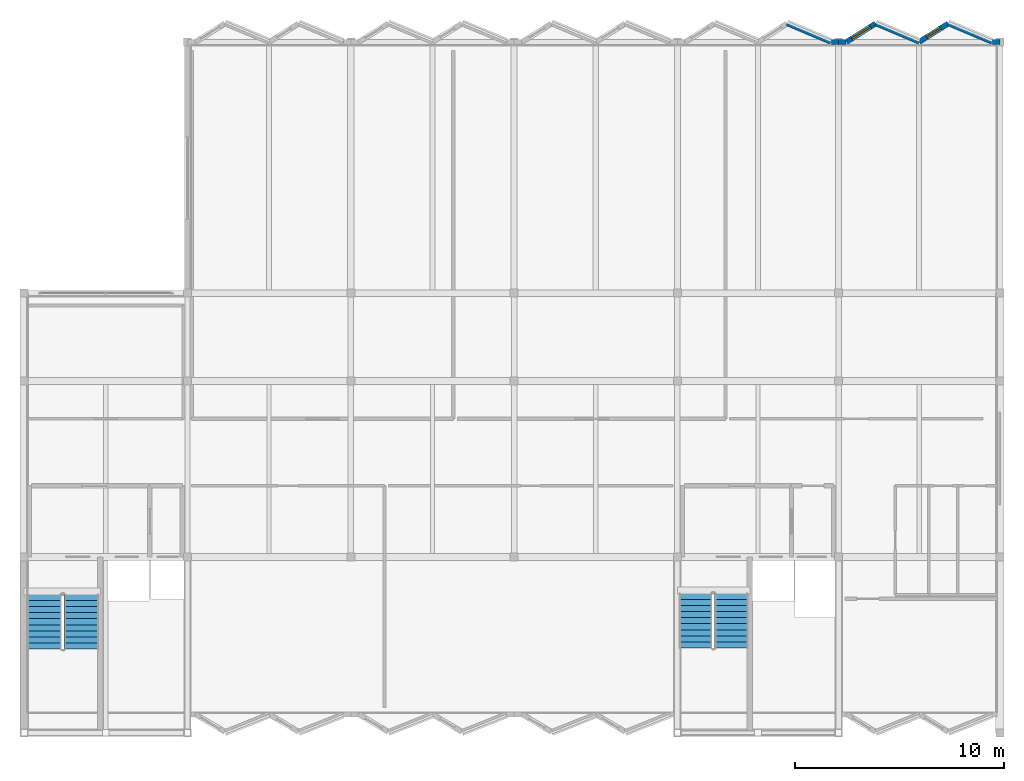
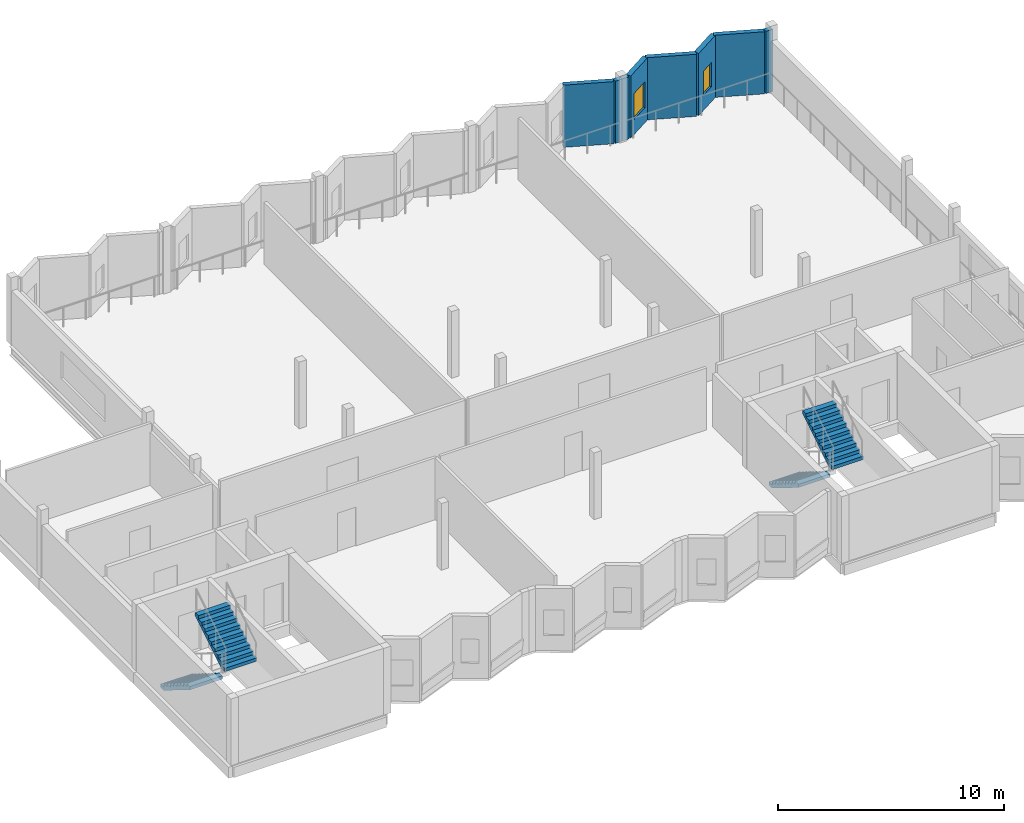
# One storey, part 7 of 11: 8 walls, 4 stair flights, 2 windows, 2 openings, 2 elements without a shape of their own.
"""IFC4 building model written with IfcOpenShell, lengths in metres."""

import ifcopenshell
import ifcopenshell.guid

model = None  # the IFC model being written
_history = None  # IfcOwnerHistory: only IFC2X3 demands one
_inside = {}  # id of a spatial element -> (the spatial element, [elements in it])
_under = {}  # id of a project, library or spatial element -> (it, [spatial elements below it])
_declared = {}  # id of a project -> (the project, [libraries it declares])
_typed = {}  # id of a type object -> (the type object, [elements of that type])
_made_of = {}  # id of a material, layer set ... -> (it, [elements and type objects made of it])


def new_model(schema):
    """Start an empty IFC model of exactly this schema.

    Asked for "IFC4X3", IfcOpenShell would pick the latest addendum, in which some entities
    have other attributes; the version numbers below select the first issue.
    IFC2X3 requires an IfcOwnerHistory on every rooted entity: one is made here for all.
    """
    global model, _history
    if schema == "IFC4X3":
        model = ifcopenshell.file(schema_version=(4, 3, 0, 0))
    else:
        model = ifcopenshell.file(schema=schema)
    _inside.clear()
    _under.clear()
    _declared.clear()
    _typed.clear()
    _made_of.clear()
    _history = None
    if model.schema == "IFC2X3":
        org = make("IfcOrganization", Name="unknown")
        user = make(
            "IfcPersonAndOrganization",
            ThePerson=make("IfcPerson", FamilyName="unknown"),
            TheOrganization=org,
        )
        app = make(
            "IfcApplication",
            ApplicationDeveloper=org,
            Version="unknown",
            ApplicationFullName="unknown",
            ApplicationIdentifier="unknown",
        )
        _history = make(
            "IfcOwnerHistory",
            OwningUser=user,
            OwningApplication=app,
            ChangeAction="ADDED",
            CreationDate=0,
        )
    return model


def make(cls, **values):
    """One entity of the class cls with the attributes given. An attribute that is None is left unset."""
    return model.create_entity(
        cls, **{name: value for name, value in values.items() if value is not None}
    )


def rooted(cls, **values):
    """An entity with a GlobalId (a new one), such as an element, a storey or a relation."""
    return make(cls, GlobalId=ifcopenshell.guid.new(), OwnerHistory=_history, **values)


def si_unit(unit_type, name, prefix=None):
    """IfcSIUnit, for example si_unit("LENGTHUNIT", "METRE", prefix="MILLI")."""
    return make("IfcSIUnit", UnitType=unit_type, Prefix=prefix, Name=name)


def assignment(units):
    """IfcUnitAssignment: the units of a project."""
    return None if units is None else make("IfcUnitAssignment", Units=units)


def point(xyz):
    """IfcCartesianPoint."""
    return None if xyz is None else make("IfcCartesianPoint", Coordinates=xyz)


def direction(xyz):
    """IfcDirection."""
    return None if xyz is None else make("IfcDirection", DirectionRatios=xyz)


def frame(location, z_axis=None, x_axis=None):
    """IfcAxis2Placement3D, a coordinate frame: its origin and axes. An axis left out is left unset."""
    return make(
        "IfcAxis2Placement3D",
        Location=point(location),
        Axis=direction(z_axis),
        RefDirection=direction(x_axis),
    )


def frame_2d(location, x_axis=None):
    """IfcAxis2Placement2D, a coordinate frame in the plane: its origin and x axis."""
    return make(
        "IfcAxis2Placement2D", Location=point(location), RefDirection=direction(x_axis)
    )


def origin():
    """The frame at (0, 0, 0) with its axes left unset."""
    return frame((0.0, 0.0, 0.0))


def place(relative_to, where):
    """IfcLocalPlacement: puts the frame where relative to a parent placement (None: the world)."""
    return make(
        "IfcLocalPlacement", PlacementRelTo=relative_to, RelativePlacement=where
    )


def context(
    kind, dimensions, precision=None, world=None, true_north=None, identifier=None
):
    """IfcGeometricRepresentationContext, for example the 3D "Model" context."""
    return make(
        "IfcGeometricRepresentationContext",
        ContextIdentifier=identifier,
        ContextType=kind,
        CoordinateSpaceDimension=dimensions,
        Precision=precision,
        WorldCoordinateSystem=world,
        TrueNorth=true_north,
    )


def subcontext(parent, identifier, kind, view, scale=None):
    """IfcGeometricRepresentationSubContext, for example "Body" below "Model"."""
    return make(
        "IfcGeometricRepresentationSubContext",
        ContextIdentifier=identifier,
        ContextType=kind,
        ParentContext=parent,
        TargetScale=scale,
        TargetView=view,
    )


def project(units=None, contexts=None):
    """IfcProject with its units and contexts."""
    return rooted(
        "IfcProject",
        Name="project",
        RepresentationContexts=contexts,
        UnitsInContext=assignment(units),
    )


def spatial(cls, under=None, at=None, **own):
    """A site, building, storey or space (cls), placed at a placement, below another one or the project."""
    s = rooted(cls, ObjectPlacement=at, **own)
    if under is not None:
        _under.setdefault(under.id(), (under, []))[1].append(s)
    return s


def polyline(points):
    """IfcPolyline through the points."""
    return make("IfcPolyline", Points=[point(p) for p in points])


def profile(cls, at=None, kind="AREA", **sizes):
    """A parametric profile (cls). Its sizes go by their IFC names, for example OverallWidth=200.0."""
    return make(cls, ProfileType=kind, Position=at, **sizes)


def rectangle(**sizes):
    """IfcRectangleProfileDef."""
    return profile("IfcRectangleProfileDef", **sizes)


def outline(outer, holes=None, kind="AREA"):
    """IfcArbitraryClosedProfileDef: a profile drawn as a closed curve; with holes, ...WithVoids."""
    if holes is None:
        return make("IfcArbitraryClosedProfileDef", ProfileType=kind, OuterCurve=outer)
    return make(
        "IfcArbitraryProfileDefWithVoids",
        ProfileType=kind,
        OuterCurve=outer,
        InnerCurves=holes,
    )


def extrude(swept, where, along, depth):
    """IfcExtrudedAreaSolid: the profile swept, set in the frame where, extruded along a direction by depth."""
    return make(
        "IfcExtrudedAreaSolid",
        SweptArea=swept,
        Position=where,
        ExtrudedDirection=direction(along),
        Depth=depth,
    )


def shape(context_of_items, identifier, shape_type, items):
    """IfcShapeRepresentation: the items that make up one representation, for example the "Body"."""
    return make(
        "IfcShapeRepresentation",
        ContextOfItems=context_of_items,
        RepresentationIdentifier=identifier,
        RepresentationType=shape_type,
        Items=items,
    )


def material(Name=None, Category=None):
    """IfcMaterial."""
    return make("IfcMaterial", Name=Name, Category=Category)


def layer(
    of_material, thickness, ventilated=None, Name=None, Category=None, Priority=None
):
    """IfcMaterialLayer: one layer of a wall or slab, of a material (None: an air gap)."""
    return make(
        "IfcMaterialLayer",
        Material=of_material,
        LayerThickness=thickness,
        IsVentilated=ventilated,
        Name=Name,
        Category=Category,
        Priority=Priority,
    )


def layer_set(layers, Name=None):
    """IfcMaterialLayerSet."""
    return make("IfcMaterialLayerSet", MaterialLayers=layers, LayerSetName=Name)


def made_of(thing, what):
    """Note that an element or type object is made of a material, layer set ...; save() writes the relation."""
    if what is not None:
        _made_of.setdefault(what.id(), (what, []))[1].append(thing)
    return thing


def type_object(cls, material=None, **own):
    """A type object (cls), such as IfcWallType, which elements share."""
    return made_of(rooted(cls, **own), material)


def element(
    cls,
    number,
    at=None,
    inside=None,
    cuts=None,
    type_object=None,
    material=None,
    context=None,
    identifier="Body",
    shape_type=None,
    held_by="IfcProductDefinitionShape",
    body=None,
    shapes=None,
    **own,
):
    """One element of the class cls, such as IfcWall. Its Tag is "e" and its number.

    at: its placement. inside: the storey or other place that contains it. cuts: it is an
    opening in that element (IfcRelVoidsElement). A single representation is given by context,
    identifier, shape_type and body (its items); several are given by shapes. held_by: the class
    of the entity that holds the representations. save() writes the other relations.
    """
    e = rooted(cls, Tag="e%d" % number, ObjectPlacement=at, **own)
    if body is not None:
        shapes = [shape(context, identifier, shape_type, body)]
    if shapes is not None:
        e.Representation = make(held_by, Representations=shapes)
    if inside is not None:
        _inside.setdefault(inside.id(), (inside, []))[1].append(e)
    if cuts is not None:
        rooted(
            "IfcRelVoidsElement", RelatingBuildingElement=cuts, RelatedOpeningElement=e
        )
    if type_object is not None:
        _typed.setdefault(type_object.id(), (type_object, []))[1].append(e)
    return made_of(e, material)


def fill(opening, filler):
    """IfcRelFillsElement: the door or window that sits in an opening."""
    return rooted(
        "IfcRelFillsElement",
        RelatingOpeningElement=opening,
        RelatedBuildingElement=filler,
    )


def aggregate(whole, parts):
    """IfcRelAggregates: a whole, such as a stair, and the parts it consists of."""
    return rooted("IfcRelAggregates", RelatingObject=whole, RelatedObjects=parts)


def save(model, path):
    """Write the relations noted so far, then the file.

    IfcRelAggregates (storeys below a building ...), IfcRelContainedInSpatialStructure (elements
    in a storey), IfcRelDefinesByType, IfcRelAssociatesMaterial and IfcRelDeclares: one each for
    every whole, place, type object, material and project.
    """
    for whole, parts in _under.values():
        aggregate(whole, parts)
    for where, things in _inside.values():
        rooted(
            "IfcRelContainedInSpatialStructure",
            RelatedElements=things,
            RelatingStructure=where,
        )
    for kind, things in _typed.values():
        rooted("IfcRelDefinesByType", RelatedObjects=things, RelatingType=kind)
    for what, things in _made_of.values():
        rooted("IfcRelAssociatesMaterial", RelatedObjects=things, RelatingMaterial=what)
    for by, libraries in _declared.values():
        rooted("IfcRelDeclares", RelatingContext=by, RelatedDefinitions=libraries)
    model.write(path)


model = new_model("IFC4")

# Units and contexts
model_context = context("Model", 3, precision=1e-05, world=origin(), true_north=direction((0.0, 1.0)))
body_context = subcontext(model_context, "Body", "Model", "MODEL_VIEW")
ifc_project = project(units=[si_unit("LENGTHUNIT", "METRE"), si_unit("AREAUNIT", "SQUARE_METRE"), si_unit("VOLUMEUNIT", "CUBIC_METRE"), si_unit("PLANEANGLEUNIT", "RADIAN"), si_unit("MASSUNIT", "GRAM", prefix="KILO")], contexts=[model_context])

# Site, building, storey
site_placement = place(None, origin())
site = spatial("IfcSite", under=ifc_project, at=site_placement, CompositionType="ELEMENT")
building_placement = place(site_placement, origin())
building = spatial("IfcBuilding", under=site, at=building_placement, Name="Vharandega Faculty of Natural Sciences", CompositionType="ELEMENT")
storey_placement = place(building_placement, frame((0.0, 0.0, 36.0)))
storey = spatial("IfcBuildingStorey", under=building, at=storey_placement, Name="L09", CompositionType="ELEMENT", Elevation=36.0)

# Wall, opening, window
ifc_material_1 = material(Name="Precast concrete C40/50", Category="concrete")
ifc_layer_1 = layer(ifc_material_1, 0.25, Name="Precast concrete C40/50")
ifc_layer_set_1 = layer_set([ifc_layer_1], Name="Precast concrete C40/50")
wall_type_1 = type_object("IfcWallType", Name="Sawtooth Glazed-Face Precast Wall 250", PredefinedType="SOLIDWALL", material=ifc_layer_set_1)
wall_1_placement = place(storey_placement, frame((154.080078125, 97.0, 0.0), z_axis=(0.0, 0.0, 1.0), x_axis=(0.844583954912, 0.535423143976, 0.0)))
wall_1 = element("IfcWall", 1, at=wall_1_placement, inside=storey, type_object=wall_type_1, Name="Exterior Wall EW-SAW-L09-N09G", PredefinedType="SOLIDWALL", context=body_context, shape_type="SweptSolid", body=[
    extrude(rectangle(XDim=1.643310546875, YDim=0.25, at=frame_2d((0.82177734375, 0.0))), origin(), (0.0, 0.0, 1.0), 3.360107421875),
])
opening_1_placement = place(wall_1_placement, frame((0.296630859375, 0.0, 0.820068359375)))
opening_1 = element("IfcOpeningElement", 2, at=opening_1_placement, cuts=wall_1, Name="Opening WN-06", PredefinedType="OPENING", context=body_context, shape_type="SweptSolid", body=[
    extrude(rectangle(XDim=1.050048828125, YDim=1.39990234375, at=frame_2d((0.52490234375, 0.699951171875))), frame((0.0, 0.135009765625, 0.0), z_axis=(0.0, -1.0, 0.0), x_axis=(1.0, 0.0, 0.0)), (0.0, 0.0, 1.0), 0.27001953125),
])
ifc_material_2 = material(Name="Double-glazed solar-control glass in thermally broken aluminium frame", Category="aluminium")
window_type_1 = type_object("IfcWindowType", Name="WIN-SAW-105x140", PartitioningType="SINGLE_PANEL", PredefinedType="WINDOW", material=ifc_material_2)
window_1_placement = place(opening_1_placement, origin())
window_1 = element("IfcWindow", 3, at=window_1_placement, inside=storey, type_object=window_type_1, Name="Window WIN-L09-0097", OverallHeight=1.39990234375, OverallWidth=1.050048828125, PartitioningType="SINGLE_PANEL", PredefinedType="WINDOW", context=body_context, shape_type="SweptSolid", body=[
    extrude(rectangle(XDim=1.050048828125, YDim=1.39990234375, at=frame_2d((0.52490234375, 0.699951171875))), frame((0.0, 0.030029296875, 0.0), z_axis=(0.0, -1.0, 0.0), x_axis=(1.0, 0.0, 0.0)), (0.0, 0.0, 1.0), 0.06005859375),
])
fill(opening_1, window_1)

wall_2_placement = place(storey_placement, frame((157.550048828125, 97.0, 0.0), z_axis=(0.0, 0.0, 1.0), x_axis=(0.844583954912, 0.535423143976, 0.0)))
wall_2 = element("IfcWall", 4, at=wall_2_placement, inside=storey, type_object=wall_type_1, Name="Exterior Wall EW-SAW-L09-N10G", PredefinedType="SOLIDWALL", context=body_context, shape_type="SweptSolid", body=[
    extrude(rectangle(XDim=1.643310546875, YDim=0.25, at=frame_2d((0.82177734375, 0.0))), origin(), (0.0, 0.0, 1.0), 3.360107421875),
])
opening_2_placement = place(wall_2_placement, frame((0.431640625, 0.0, 0.820068359375)))
opening_2 = element("IfcOpeningElement", 5, at=opening_2_placement, cuts=wall_2, Name="Opening WN-06A", PredefinedType="OPENING", context=body_context, shape_type="SweptSolid", body=[
    extrude(rectangle(XDim=0.780029296875, YDim=1.300048828125, at=frame_2d((0.39013671875, 0.64990234375))), frame((0.0, 0.135009765625, 0.0), z_axis=(0.0, -1.0, 0.0), x_axis=(1.0, 0.0, 0.0)), (0.0, 0.0, 1.0), 0.27001953125),
])
ifc_material_3 = material(Name="Double-glazed solar-control glass in thermally broken aluminium frame", Category="aluminium")
window_type_2 = type_object("IfcWindowType", Name="WIN-SAW-078x130", PartitioningType="SINGLE_PANEL", PredefinedType="WINDOW", material=ifc_material_3)
window_2_placement = place(opening_2_placement, origin())
window_2 = element("IfcWindow", 6, at=window_2_placement, inside=storey, type_object=window_type_2, Name="Window WIN-L09-0098", OverallHeight=1.300048828125, OverallWidth=0.780029296875, PartitioningType="SINGLE_PANEL", PredefinedType="WINDOW", context=body_context, shape_type="SweptSolid", body=[
    extrude(rectangle(XDim=0.780029296875, YDim=1.300048828125, at=frame_2d((0.39013671875, 0.64990234375))), frame((0.0, 0.030029296875, 0.0), z_axis=(0.0, -1.0, 0.0), x_axis=(1.0, 0.0, 0.0)), (0.0, 0.0, 1.0), 0.06005859375),
])
fill(opening_2, window_2)

# Walls
ifc_material_4 = material(Name="Precast concrete C40/50", Category="concrete")
ifc_layer_2 = layer(ifc_material_4, 0.22998046875, Name="Precast concrete C40/50")
ifc_layer_set_2 = layer_set([ifc_layer_2], Name="Precast concrete C40/50")
wall_type_2 = type_object("IfcWallType", Name="Sawtooth Solid White Precast Wall 230", PredefinedType="SOLIDWALL", material=ifc_layer_set_2)
wall_3_placement = place(storey_placement, frame((153.35009765625, 97.0, 0.0), z_axis=(0.0, 0.0, 1.0), x_axis=(1.0, 0.0, 0.0)))
element("IfcWall", 7, at=wall_3_placement, inside=storey, type_object=wall_type_2, Name="Exterior Wall EW-SHL-L09-N20R", PredefinedType="SOLIDWALL", context=body_context, shape_type="SweptSolid", body=[
    extrude(rectangle(XDim=0.349853515625, YDim=0.22998046875, at=frame_2d((0.1748046875, 0.0))), origin(), (0.0, 0.0, 1.0), 3.360107421875),
])
wall_4_placement = place(storey_placement, frame((153.699951171875, 97.0, 0.0), z_axis=(0.0, 0.0, 1.0), x_axis=(1.0, 0.0, 0.0)))
element("IfcWall", 8, at=wall_4_placement, inside=storey, type_object=wall_type_2, Name="Exterior Wall EW-SHL-L09-N20L", PredefinedType="SOLIDWALL", context=body_context, shape_type="SweptSolid", body=[
    extrude(rectangle(XDim=0.35009765625, YDim=0.22998046875, at=frame_2d((0.175048828125, 0.0))), origin(), (0.0, 0.0, 1.0), 3.360107421875),
])
wall_5_placement = place(storey_placement, frame((161.050048828125, 97.0, 0.0), z_axis=(0.0, 0.0, 1.0), x_axis=(1.0, 0.0, 0.0)))
element("IfcWall", 9, at=wall_5_placement, inside=storey, type_object=wall_type_2, Name="Exterior Wall EW-SHL-L09-N21R", PredefinedType="SOLIDWALL", context=body_context, shape_type="SweptSolid", body=[
    extrude(rectangle(XDim=0.349853515625, YDim=0.22998046875, at=frame_2d((0.1748046875, 0.0))), origin(), (0.0, 0.0, 1.0), 3.360107421875),
])
for number, where, z_axis, x_axis, name in (
    (10, (151.238037109375, 97.8798828125, 0.0), (0.0, 0.0, 1.0), (0.921122216024, -0.389273506866, 0.0), "Exterior Wall EW-SAW-L09-N08S"),
    (11, (155.468017578125, 97.8798828125, 0.0), (0.0, 0.0, 1.0), (0.921122216024, -0.389273506866, 0.0), "Exterior Wall EW-SAW-L09-N09S"),
    (12, (158.93798828125, 97.8798828125, 0.0), (0.0, 0.0, 1.0), (0.921122216024, -0.389273506866, 0.0), "Exterior Wall EW-SAW-L09-N10S"),
):
    element("IfcWall", number, at=place(storey_placement, frame(where, z_axis=z_axis, x_axis=x_axis)), inside=storey, type_object=wall_type_2, Name=name, PredefinedType="SOLIDWALL", context=body_context, shape_type="SweptSolid", body=[
        extrude(rectangle(XDim=2.26025390625, YDim=0.22998046875, at=frame_2d((1.130126953125, 0.0))), origin(), (0.0, 0.0, 1.0), 3.360107421875),
    ])

# Stair, stair flights
ifc_material_5 = material(Name="Concrete C40/50", Category="concrete")
stair_type_1 = type_object("IfcStairType", Name="Escape Dog-Leg Stair W160 H360", PredefinedType="HALF_TURN_STAIR", material=ifc_material_5)
stair_1_placement = place(storey_placement, origin())
stair_1 = element("IfcStair", 13, at=stair_1_placement, inside=storey, type_object=stair_type_1, Name="L09 Escape Stair ST2", PredefinedType="HALF_TURN_STAIR")
ifc_material_6 = material(Name="Concrete C40/50", Category="concrete")
stair_flight_type_1 = type_object("IfcStairFlightType", Name="Precast Stair Flight W160 H360", PredefinedType="STRAIGHT", material=ifc_material_6)
stair_flight_1_placement = place(storey_placement, frame((146.860107421875, 70.659912109375, 0.0), z_axis=(0.0, 0.0, 1.0), x_axis=(0.0, -1.0, 0.0)))
stair_flight_1 = element("IfcStairFlight", 14, at=stair_flight_1_placement, type_object=stair_flight_type_1, Name="ST2 flight 1", NumberOfRisers=10, NumberOfTreads=9, PredefinedType="STRAIGHT", RiserHeight=0.18, TreadLength=0.29, context=body_context, shape_type="SweptSolid", body=[
    extrude(outline(polyline([(0.0, 0.0), (0.0, 0.179931640625), (0.2900390625, 0.179931640625), (0.2900390625, 0.360107421875), (0.580078125, 0.360107421875), (0.580078125, 0.5400390625), (0.8701171875, 0.5400390625), (0.8701171875, 0.719970703125), (1.159912109375, 0.719970703125), (1.159912109375, 0.89990234375), (1.449951171875, 0.89990234375), (1.449951171875, 1.080078125), (1.739990234375, 1.080078125), (1.739990234375, 1.260009765625), (2.030029296875, 1.260009765625), (2.030029296875, 1.43994140625), (2.320068359375, 1.43994140625), (2.320068359375, 1.6201171875), (2.610107421875, 1.6201171875), (2.610107421875, 1.800048828125), (2.610107421875, 1.443603515625), (0.2841796875, 0.0), (0.0, 0.0)])), frame((0.0, 0.800048828125, 0.0), z_axis=(0.0, -1.0, 0.0), x_axis=(1.0, 0.0, 0.0)), (0.0, 0.0, 1.0), 1.60009765625),
])
stair_flight_2_placement = place(storey_placement, frame((148.580078125, 68.050048828125, 1.800048828125), z_axis=(0.0, 0.0, 1.0), x_axis=(0.0, 1.0, 0.0)))
stair_flight_2 = element("IfcStairFlight", 15, at=stair_flight_2_placement, type_object=stair_flight_type_1, Name="ST2 flight 2", NumberOfRisers=10, NumberOfTreads=9, PredefinedType="STRAIGHT", RiserHeight=0.18, TreadLength=0.29, context=body_context, shape_type="SweptSolid", body=[
    extrude(outline(polyline([(0.0, 0.0), (0.0, 0.179931640625), (0.2900390625, 0.179931640625), (0.2900390625, 0.360107421875), (0.580078125, 0.360107421875), (0.580078125, 0.5400390625), (0.8701171875, 0.5400390625), (0.8701171875, 0.719970703125), (1.159912109375, 0.719970703125), (1.159912109375, 0.89990234375), (1.449951171875, 0.89990234375), (1.449951171875, 1.080078125), (1.739990234375, 1.080078125), (1.739990234375, 1.260009765625), (2.030029296875, 1.260009765625), (2.030029296875, 1.43994140625), (2.320068359375, 1.43994140625), (2.320068359375, 1.6201171875), (2.610107421875, 1.6201171875), (2.610107421875, 1.800048828125), (2.610107421875, 1.443603515625), (0.2841796875, 0.0), (0.0, 0.0)])), frame((0.0, 0.800048828125, 0.0), z_axis=(0.0, -1.0, 0.0), x_axis=(1.0, 0.0, 0.0)), (0.0, 0.0, 1.0), 1.60009765625),
])
aggregate(stair_1, [stair_flight_1, stair_flight_2])

ifc_material_7 = material(Name="Concrete C40/50", Category="concrete")
stair_type_2 = type_object("IfcStairType", Name="Escape Dog-Leg Stair W165 H360", PredefinedType="HALF_TURN_STAIR", material=ifc_material_7)
stair_2_placement = place(storey_placement, origin())
stair_2 = element("IfcStair", 16, at=stair_2_placement, inside=storey, type_object=stair_type_2, Name="L09 Escape Stair ST1", PredefinedType="HALF_TURN_STAIR")
ifc_material_8 = material(Name="Concrete C40/50", Category="concrete")
stair_flight_type_2 = type_object("IfcStairFlightType", Name="Precast Stair Flight W165 H360", PredefinedType="STRAIGHT", material=ifc_material_8)
stair_flight_3_placement = place(storey_placement, frame((115.764892578125, 70.610107421875, 0.0), z_axis=(0.0, 0.0, 1.0), x_axis=(0.0, -1.0, 0.0)))
stair_flight_3 = element("IfcStairFlight", 17, at=stair_flight_3_placement, type_object=stair_flight_type_2, Name="ST1 flight 1", NumberOfRisers=10, NumberOfTreads=9, PredefinedType="STRAIGHT", RiserHeight=0.18, TreadLength=0.29, context=body_context, shape_type="SweptSolid", body=[
    extrude(outline(polyline([(0.0, 0.0), (0.0, 0.179931640625), (0.2900390625, 0.179931640625), (0.2900390625, 0.360107421875), (0.580078125, 0.360107421875), (0.580078125, 0.5400390625), (0.8701171875, 0.5400390625), (0.8701171875, 0.719970703125), (1.159912109375, 0.719970703125), (1.159912109375, 0.89990234375), (1.449951171875, 0.89990234375), (1.449951171875, 1.080078125), (1.739990234375, 1.080078125), (1.739990234375, 1.260009765625), (2.030029296875, 1.260009765625), (2.030029296875, 1.43994140625), (2.320068359375, 1.43994140625), (2.320068359375, 1.6201171875), (2.610107421875, 1.6201171875), (2.610107421875, 1.800048828125), (2.610107421875, 1.443603515625), (0.2841796875, 0.0), (0.0, 0.0)])), frame((0.0, 0.824951171875, 0.0), z_axis=(0.0, -1.0, 0.0), x_axis=(1.0, 0.0, 0.0)), (0.0, 0.0, 1.0), 1.64990234375),
])
stair_flight_4_placement = place(storey_placement, frame((117.534912109375, 68.0, 1.800048828125), z_axis=(0.0, 0.0, 1.0), x_axis=(0.0, 1.0, 0.0)))
stair_flight_4 = element("IfcStairFlight", 18, at=stair_flight_4_placement, type_object=stair_flight_type_2, Name="ST1 flight 2", NumberOfRisers=10, NumberOfTreads=9, PredefinedType="STRAIGHT", RiserHeight=0.18, TreadLength=0.29, context=body_context, shape_type="SweptSolid", body=[
    extrude(outline(polyline([(0.0, 0.0), (0.0, 0.179931640625), (0.2900390625, 0.179931640625), (0.2900390625, 0.360107421875), (0.580078125, 0.360107421875), (0.580078125, 0.5400390625), (0.8701171875, 0.5400390625), (0.8701171875, 0.719970703125), (1.159912109375, 0.719970703125), (1.159912109375, 0.89990234375), (1.449951171875, 0.89990234375), (1.449951171875, 1.080078125), (1.739990234375, 1.080078125), (1.739990234375, 1.260009765625), (2.030029296875, 1.260009765625), (2.030029296875, 1.43994140625), (2.320068359375, 1.43994140625), (2.320068359375, 1.6201171875), (2.610107421875, 1.6201171875), (2.610107421875, 1.800048828125), (2.610107421875, 1.443603515625), (0.2841796875, 0.0), (0.0, 0.0)])), frame((0.0, 0.824951171875, 0.0), z_axis=(0.0, -1.0, 0.0), x_axis=(1.0, 0.0, 0.0)), (0.0, 0.0, 1.0), 1.64990234375),
])
aggregate(stair_2, [stair_flight_3, stair_flight_4])

save(model, "model.ifc")
